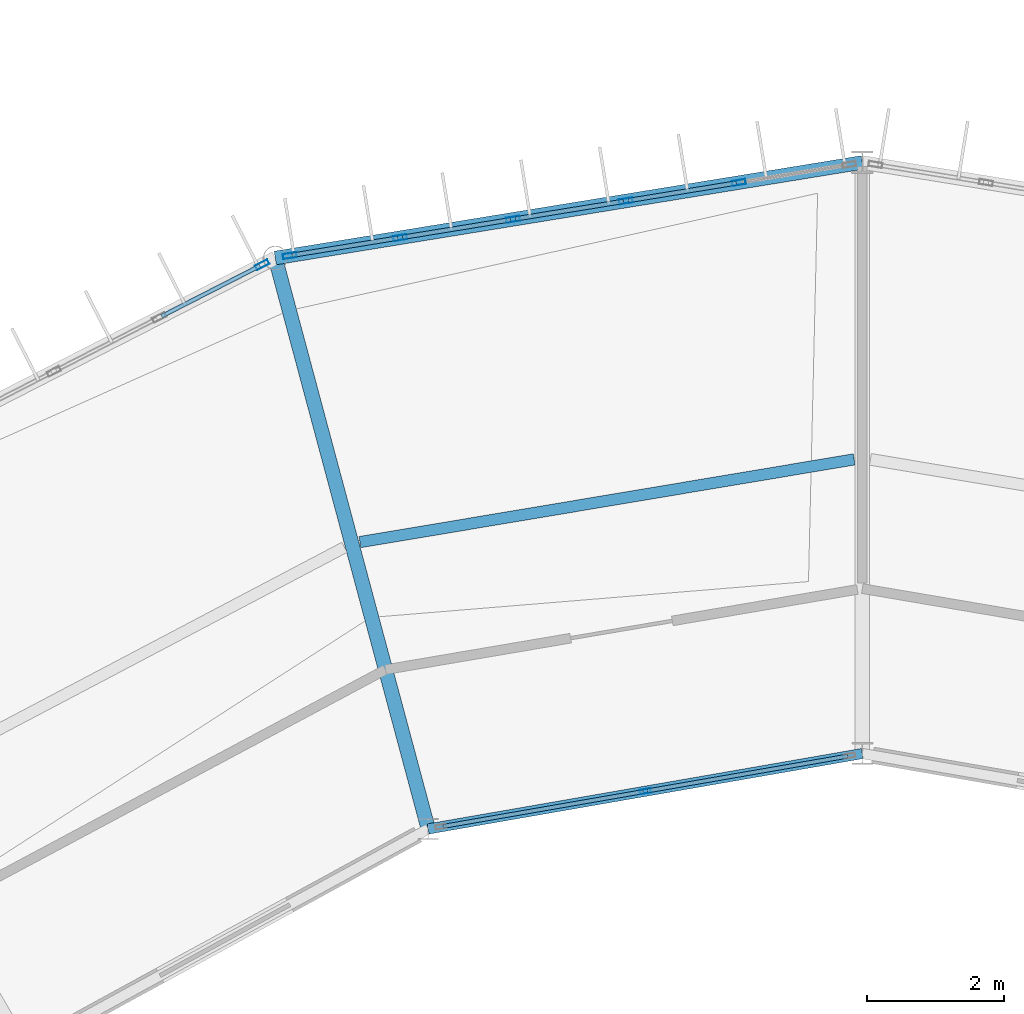
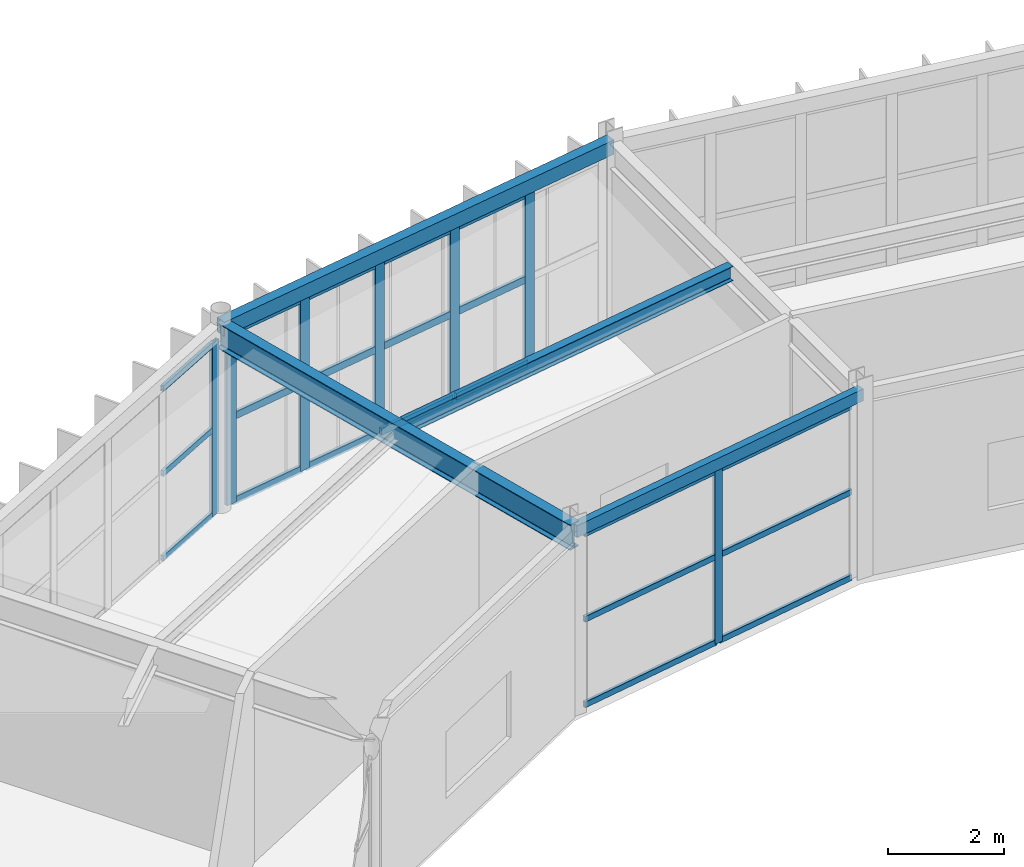
# One storey, part 79 of 147: 28 members, 4 beams, 3 elements without a shape of their own.
"""IFC4 building model written with IfcOpenShell, lengths in metres."""

from ifc_helpers import new_model, si_unit, direction, frame, origin, origin_2d, place, context, subcontext, project, spatial, hollow_rectangle, i_section, extrude, material, material_profile, profile_set, type_object, element, aggregate, save


model = new_model("IFC4")

# Units and contexts
model_context = context("Model", 3, precision=1e-05, world=origin(), true_north=direction((0.0, 1.0)))
body_context = subcontext(model_context, "Body", "Model", "MODEL_VIEW")
ifc_project = project(units=[si_unit("LENGTHUNIT", "METRE"), si_unit("AREAUNIT", "SQUARE_METRE"), si_unit("VOLUMEUNIT", "CUBIC_METRE"), si_unit("PLANEANGLEUNIT", "RADIAN"), si_unit("MASSUNIT", "GRAM", prefix="KILO")], contexts=[model_context])

# Site, building, storey
site_placement = place(None, origin())
site = spatial("IfcSite", under=ifc_project, at=site_placement, CompositionType="ELEMENT")
building_placement = place(site_placement, origin())
building = spatial("IfcBuilding", under=site, at=building_placement, Name="Karori Crest Natural Sciences Institute", CompositionType="ELEMENT")
storey_placement = place(building_placement, frame((0.0, 0.0, 9.10009765625)))
storey = spatial("IfcBuildingStorey", under=building, at=storey_placement, Name="L02", CompositionType="ELEMENT", Elevation=9.10009765625)

# Beams
ifc_material_1 = material(Name="Structural steel AS/NZS 3679.1 Grade 350", Category="steel")
ifc_material_profile_1 = material_profile(ifc_material_1, i_section(OverallWidth=0.208984375, OverallDepth=0.532958984375, WebThickness=0.01025390625, FlangeThickness=0.015625, FilletRadius=0.013916015625, at=origin_2d()), Name="530UB92.4")
ifc_profile_set_1 = profile_set([ifc_material_profile_1], Name="Structural steel AS/NZS 3679.1 Grade 350")
beam_type_1 = type_object("IfcBeamType", Name="BT-05", PredefinedType="BEAM", material=ifc_profile_set_1)
beam_1_placement = place(storey_placement, frame((60.084716796875, 81.002685546875, 3.67333984375), z_axis=(-0.258812709002, 0.96592752402, 0.0), x_axis=(-0.96592752402, -0.258812709002, 0.0)))
element("IfcBeam", 1, at=beam_1_placement, inside=storey, type_object=beam_type_1, Name="Beam B-0299", PredefinedType="BEAM", context=body_context, shape_type="SweptSolid", body=[
    extrude(i_section(OverallWidth=0.208984375, OverallDepth=0.532958984375, WebThickness=0.01025390625, FlangeThickness=0.015625, FilletRadius=0.013916015625, at=origin_2d()), origin(), (0.0, 0.0, 1.0), 8.60009765625),
])
ifc_material_profile_2 = material_profile(ifc_material_1, i_section(OverallWidth=0.1650390625, OverallDepth=0.303955078125, WebThickness=0.006103515625, FlangeThickness=0.01025390625, FilletRadius=0.010986328125, at=origin_2d()), Name="310UB40.4")
ifc_profile_set_2 = profile_set([ifc_material_profile_2], Name="Structural steel AS/NZS 3679.1 Grade 350")
beam_type_2 = type_object("IfcBeamType", Name="BT-10", PredefinedType="BEAM", material=ifc_profile_set_2)
beam_2_placement = place(storey_placement, frame((66.281494140625, 86.380126953125, 3.787841796875), z_axis=(-0.98626966223, -0.165142827164, 0.0), x_axis=(0.165142827164, -0.98626966223, 0.0)))
element("IfcBeam", 2, at=beam_2_placement, inside=storey, type_object=beam_type_2, Name="Beam B-0296", PredefinedType="BEAM", context=body_context, shape_type="SweptSolid", body=[
    extrude(i_section(OverallWidth=0.1650390625, OverallDepth=0.303955078125, WebThickness=0.006103515625, FlangeThickness=0.01025390625, FilletRadius=0.010986328125, at=origin_2d()), origin(), (0.0, 0.0, 1.0), 7.291259765625),
])
ifc_material_2 = material(Name="Hollow structural steel AS/NZS 1163 Grade C350", Category="steel")
ifc_material_profile_3 = material_profile(ifc_material_2, hollow_rectangle(XDim=0.199951171875, YDim=0.300048828125, WallThickness=0.010009765625, at=origin_2d()), Name="RHS300x200x10")
ifc_profile_set_3 = profile_set([ifc_material_profile_3], Name="Hollow structural steel AS/NZS 1163 Grade C350")
beam_type_3 = type_object("IfcBeamType", Name="BT-15", PredefinedType="SPANDREL", material=ifc_profile_set_3)
beam_3_placement = place(storey_placement, frame((66.39990234375, 90.699951171875, 3.789794921875), z_axis=(-0.987012055933, -0.160646199591, 0.0), x_axis=(0.160646199591, -0.987012055933, 0.0)))
element("IfcBeam", 3, at=beam_3_placement, inside=storey, type_object=beam_type_3, Name="Beam B-0293", PredefinedType="SPANDREL", context=body_context, shape_type="SweptSolid", body=[
    extrude(hollow_rectangle(XDim=0.199951171875, YDim=0.300048828125, WallThickness=0.010009765625, at=origin_2d()), origin(), (0.0, 0.0, 1.0), 8.6533203125),
])
ifc_material_profile_4 = material_profile(ifc_material_2, hollow_rectangle(XDim=0.14990234375, YDim=0.25, WallThickness=0.009033203125, at=origin_2d()), Name="RHS250x150x9")
ifc_profile_set_4 = profile_set([ifc_material_profile_4], Name="Hollow structural steel AS/NZS 1163 Grade C350")
beam_type_4 = type_object("IfcBeamType", Name="BT-16", PredefinedType="SPANDREL", material=ifc_profile_set_4)
beam_4_placement = place(storey_placement, frame((66.39990234375, 82.10009765625, 3.789794921875), z_axis=(-0.985234948316, -0.171207758638, 0.0), x_axis=(0.171207758638, -0.985234948316, 0.0)))
element("IfcBeam", 4, at=beam_4_placement, inside=storey, type_object=beam_type_4, Name="Beam B-0294", PredefinedType="SPANDREL", context=body_context, shape_type="SweptSolid", body=[
    extrude(hollow_rectangle(XDim=0.14990234375, YDim=0.25, WallThickness=0.009033203125, at=origin_2d()), origin(), (0.0, 0.0, 1.0), 6.409912109375),
])

# Curtain wall, member
ifc_material_3 = material(Name="Anodised architectural aluminium 6063-T6", Category="aluminium")
curtain_wall_type_1 = type_object("IfcCurtainWallType", Name="CWT-12", PredefinedType="NOTDEFINED", material=ifc_material_3)
curtain_wall_1_placement = place(storey_placement, origin())
curtain_wall_1 = element("IfcCurtainWall", 5, at=curtain_wall_1_placement, inside=storey, type_object=curtain_wall_type_1, Name="Curtain wall CW-0075", PredefinedType="NOTDEFINED")
ifc_material_profile_5 = material_profile(ifc_material_3, hollow_rectangle(XDim=0.06494140625, YDim=0.159912109375, WallThickness=0.00390625, at=origin_2d()), Name="CWM160x65x4")
ifc_profile_set_5 = profile_set([ifc_material_profile_5], Name="Anodised architectural aluminium 6063-T6")
member_type_1 = type_object("IfcMemberType", Name="CWM-01", PredefinedType="MULLION", material=ifc_profile_set_5)
member_1_placement = place(storey_placement, frame((63.241943359375, 81.55126953125, 0.0), z_axis=(0.0, 0.0, 1.0), x_axis=(0.171170381048, -0.985241442821, 0.0)))
member_1 = element("IfcMember", 6, at=member_1_placement, type_object=member_type_1, Name="CW-0075 mullion 2", PredefinedType="MULLION", context=body_context, shape_type="SweptSolid", body=[
    extrude(hollow_rectangle(XDim=0.06494140625, YDim=0.159912109375, WallThickness=0.00390625, at=origin_2d()), origin(), (0.0, 0.0, 1.0), 3.64990234375),
])

# Curtain wall, members
curtain_wall_type_2 = type_object("IfcCurtainWallType", Name="CWT-07", PredefinedType="NOTDEFINED", material=ifc_material_3)
curtain_wall_2_placement = place(storey_placement, origin())
curtain_wall_2 = element("IfcCurtainWall", 7, at=curtain_wall_2_placement, inside=storey, type_object=curtain_wall_type_2, Name="Curtain wall CW-0074", PredefinedType="NOTDEFINED")
ifc_material_profile_6 = material_profile(ifc_material_3, hollow_rectangle(XDim=0.074951171875, YDim=0.199951171875, WallThickness=0.0048828125, at=origin_2d()), Name="CWM200x75x5")
ifc_profile_set_6 = profile_set([ifc_material_profile_6], Name="Anodised architectural aluminium 6063-T6")
member_type_2 = type_object("IfcMemberType", Name="CWM-02", PredefinedType="MULLION", material=ifc_profile_set_6)
member_2_placement = place(storey_placement, frame((58.069580078125, 89.343994140625, 0.0), z_axis=(0.0, 0.0, 1.0), x_axis=(-0.1606565458, 0.987010371927, 0.0)))
member_2 = element("IfcMember", 8, at=member_2_placement, type_object=member_type_2, Name="CW-0074 mullion 1", PredefinedType="MULLION", context=body_context, shape_type="SweptSolid", body=[
    extrude(hollow_rectangle(XDim=0.074951171875, YDim=0.199951171875, WallThickness=0.0048828125, at=origin_2d()), origin(), (0.0, 0.0, 1.0), 3.625),
])
member_3_placement = place(storey_placement, frame((59.67529296875, 89.60546875, 0.0), z_axis=(0.0, 0.0, 1.0), x_axis=(-0.1606565458, 0.987010371927, 0.0)))
member_3 = element("IfcMember", 9, at=member_3_placement, type_object=member_type_2, Name="CW-0074 mullion 2", PredefinedType="MULLION", context=body_context, shape_type="SweptSolid", body=[
    extrude(hollow_rectangle(XDim=0.074951171875, YDim=0.199951171875, WallThickness=0.0048828125, at=origin_2d()), origin(), (0.0, 0.0, 1.0), 3.625),
])
member_4_placement = place(storey_placement, frame((61.318115234375, 89.872802734375, 0.0), z_axis=(0.0, 0.0, 1.0), x_axis=(-0.1606565458, 0.987010371927, 0.0)))
member_4 = element("IfcMember", 10, at=member_4_placement, type_object=member_type_2, Name="CW-0074 mullion 3", PredefinedType="MULLION", context=body_context, shape_type="SweptSolid", body=[
    extrude(hollow_rectangle(XDim=0.074951171875, YDim=0.199951171875, WallThickness=0.0048828125, at=origin_2d()), origin(), (0.0, 0.0, 1.0), 3.625),
])
member_5_placement = place(storey_placement, frame((62.9609375, 90.14013671875, 0.0), z_axis=(0.0, 0.0, 1.0), x_axis=(-0.1606565458, 0.987010371927, 0.0)))
member_5 = element("IfcMember", 11, at=member_5_placement, type_object=member_type_2, Name="CW-0074 mullion 4", PredefinedType="MULLION", context=body_context, shape_type="SweptSolid", body=[
    extrude(hollow_rectangle(XDim=0.074951171875, YDim=0.199951171875, WallThickness=0.0048828125, at=origin_2d()), origin(), (0.0, 0.0, 1.0), 3.625),
])
member_6_placement = place(storey_placement, frame((64.603759765625, 90.40771484375, 0.0), z_axis=(0.0, 0.0, 1.0), x_axis=(-0.1606565458, 0.987010371927, 0.0)))
member_6 = element("IfcMember", 12, at=member_6_placement, type_object=member_type_2, Name="CW-0074 mullion 5", PredefinedType="MULLION", context=body_context, shape_type="SweptSolid", body=[
    extrude(hollow_rectangle(XDim=0.074951171875, YDim=0.199951171875, WallThickness=0.0048828125, at=origin_2d()), origin(), (0.0, 0.0, 1.0), 3.625),
])

# Curtain wall, member
curtain_wall_type_3 = type_object("IfcCurtainWallType", Name="CWT-08", PredefinedType="NOTDEFINED", material=ifc_material_3)
curtain_wall_3_placement = place(storey_placement, origin())
curtain_wall_3 = element("IfcCurtainWall", 13, at=curtain_wall_3_placement, inside=storey, type_object=curtain_wall_type_3, Name="Curtain wall CW-0076", PredefinedType="NOTDEFINED")
member_7_placement = place(storey_placement, frame((57.669189453125, 89.212646484375, 0.0), z_axis=(0.0, 0.0, 1.0), x_axis=(-0.455832988828, 0.890065326982, 0.0)))
member_7 = element("IfcMember", 14, at=member_7_placement, type_object=member_type_2, Name="CW-0076 mullion 6", PredefinedType="MULLION", context=body_context, shape_type="SweptSolid", body=[
    extrude(hollow_rectangle(XDim=0.074951171875, YDim=0.199951171875, WallThickness=0.0048828125, at=origin_2d()), origin(), (0.0, 0.0, 1.0), 3.625),
])

# Member
ifc_material_profile_7 = material_profile(ifc_material_3, hollow_rectangle(XDim=0.06005859375, YDim=0.1201171875, WallThickness=0.00390625, at=origin_2d()), Name="CWT120x60x4")
ifc_profile_set_7 = profile_set([ifc_material_profile_7], Name="Anodised architectural aluminium 6063-T6")
member_type_3 = type_object("IfcMemberType", Name="CWT-TR1", PredefinedType="USERDEFINED", material=ifc_profile_set_7)
member_8_placement = place(storey_placement, frame((66.1845703125, 82.0625, 0.02978515625), z_axis=(-0.985245095786, -0.171149353579, 0.0), x_axis=(0.171149353579, -0.985245095786, 0.0)))
member_8 = element("IfcMember", 15, at=member_8_placement, type_object=member_type_3, Name="CW-0075 transom 1.1", ObjectType="TRANSOM", PredefinedType="USERDEFINED", context=body_context, shape_type="SweptSolid", body=[
    extrude(hollow_rectangle(XDim=0.06005859375, YDim=0.1201171875, WallThickness=0.00390625, at=origin_2d()), origin(), (0.0, 0.0, 1.0), 2.954345703125),
])

member_9_placement = place(storey_placement, frame((66.1845703125, 82.0625, 1.824951171875), z_axis=(-0.985245095786, -0.171149353579, 0.0), x_axis=(0.171149353579, -0.985245095786, 0.0)))
member_9 = element("IfcMember", 16, at=member_9_placement, type_object=member_type_3, Name="CW-0075 transom 1.2", ObjectType="TRANSOM", PredefinedType="USERDEFINED", context=body_context, shape_type="SweptSolid", body=[
    extrude(hollow_rectangle(XDim=0.06005859375, YDim=0.1201171875, WallThickness=0.00390625, at=origin_2d()), origin(), (0.0, 0.0, 1.0), 2.954345703125),
])

member_10_placement = place(storey_placement, frame((66.1845703125, 82.0625, 3.619873046875), z_axis=(-0.985245095786, -0.171149353579, 0.0), x_axis=(0.171149353579, -0.985245095786, 0.0)))
member_10 = element("IfcMember", 17, at=member_10_placement, type_object=member_type_3, Name="CW-0075 transom 1.3", ObjectType="TRANSOM", PredefinedType="USERDEFINED", context=body_context, shape_type="SweptSolid", body=[
    extrude(hollow_rectangle(XDim=0.06005859375, YDim=0.1201171875, WallThickness=0.00390625, at=origin_2d()), origin(), (0.0, 0.0, 1.0), 2.954345703125),
])

member_11_placement = place(storey_placement, frame((63.2099609375, 81.5458984375, 0.02978515625), z_axis=(-0.985231157469, -0.171229572075, 0.0), x_axis=(0.171229572075, -0.985231157469, 0.0)))
member_11 = element("IfcMember", 18, at=member_11_placement, type_object=member_type_3, Name="CW-0075 transom 2.1", ObjectType="TRANSOM", PredefinedType="USERDEFINED", context=body_context, shape_type="SweptSolid", body=[
    extrude(hollow_rectangle(XDim=0.06005859375, YDim=0.1201171875, WallThickness=0.00390625, at=origin_2d()), origin(), (0.0, 0.0, 1.0), 2.954345703125),
])

member_12_placement = place(storey_placement, frame((63.2099609375, 81.5458984375, 1.824951171875), z_axis=(-0.985231157469, -0.171229572075, 0.0), x_axis=(0.171229572075, -0.985231157469, 0.0)))
member_12 = element("IfcMember", 19, at=member_12_placement, type_object=member_type_3, Name="CW-0075 transom 2.2", ObjectType="TRANSOM", PredefinedType="USERDEFINED", context=body_context, shape_type="SweptSolid", body=[
    extrude(hollow_rectangle(XDim=0.06005859375, YDim=0.1201171875, WallThickness=0.00390625, at=origin_2d()), origin(), (0.0, 0.0, 1.0), 2.954345703125),
])

member_13_placement = place(storey_placement, frame((63.2099609375, 81.5458984375, 3.619873046875), z_axis=(-0.985231157469, -0.171229572075, 0.0), x_axis=(0.171229572075, -0.985231157469, 0.0)))
member_13 = element("IfcMember", 20, at=member_13_placement, type_object=member_type_3, Name="CW-0075 transom 2.3", ObjectType="TRANSOM", PredefinedType="USERDEFINED", context=body_context, shape_type="SweptSolid", body=[
    extrude(hollow_rectangle(XDim=0.06005859375, YDim=0.1201171875, WallThickness=0.00390625, at=origin_2d()), origin(), (0.0, 0.0, 1.0), 2.954345703125),
])

aggregate(curtain_wall_1, [member_1, member_8, member_9, member_10, member_11, member_12, member_13])

member_14_placement = place(storey_placement, frame((56.203857421875, 88.462158203125, 0.02978515625), z_axis=(0.890044866674, 0.455872937679, 0.0), x_axis=(-0.455872937679, 0.890044866674, 0.0)))
member_14 = element("IfcMember", 21, at=member_14_placement, type_object=member_type_3, Name="CW-0076 transom 5.1", ObjectType="TRANSOM", PredefinedType="USERDEFINED", context=body_context, shape_type="SweptSolid", body=[
    extrude(hollow_rectangle(XDim=0.06005859375, YDim=0.1201171875, WallThickness=0.00390625, at=origin_2d()), origin(), (0.0, 0.0, 1.0), 1.60888671875),
])

member_15_placement = place(storey_placement, frame((56.203857421875, 88.462158203125, 1.8125), z_axis=(0.890044866674, 0.455872937679, 0.0), x_axis=(-0.455872937679, 0.890044866674, 0.0)))
member_15 = element("IfcMember", 22, at=member_15_placement, type_object=member_type_3, Name="CW-0076 transom 5.2", ObjectType="TRANSOM", PredefinedType="USERDEFINED", context=body_context, shape_type="SweptSolid", body=[
    extrude(hollow_rectangle(XDim=0.06005859375, YDim=0.1201171875, WallThickness=0.00390625, at=origin_2d()), origin(), (0.0, 0.0, 1.0), 1.60888671875),
])

member_16_placement = place(storey_placement, frame((56.203857421875, 88.462158203125, 3.594970703125), z_axis=(0.890044866674, 0.455872937679, 0.0), x_axis=(-0.455872937679, 0.890044866674, 0.0)))
member_16 = element("IfcMember", 23, at=member_16_placement, type_object=member_type_3, Name="CW-0076 transom 5.3", ObjectType="TRANSOM", PredefinedType="USERDEFINED", context=body_context, shape_type="SweptSolid", body=[
    extrude(hollow_rectangle(XDim=0.06005859375, YDim=0.1201171875, WallThickness=0.00390625, at=origin_2d()), origin(), (0.0, 0.0, 1.0), 1.60888671875),
])

aggregate(curtain_wall_3, [member_7, member_14, member_15, member_16])

ifc_material_profile_8 = material_profile(ifc_material_3, hollow_rectangle(XDim=0.06494140625, YDim=0.14990234375, WallThickness=0.00390625, at=origin_2d()), Name="CWT150x65x4")
ifc_profile_set_8 = profile_set([ifc_material_profile_8], Name="Anodised architectural aluminium 6063-T6")
member_type_4 = type_object("IfcMemberType", Name="CWT-TR2", PredefinedType="USERDEFINED", material=ifc_profile_set_8)
member_17_placement = place(storey_placement, frame((58.1064453125, 89.35009765625, 0.032470703125), z_axis=(0.987015971558, 0.160622140096, 0.0), x_axis=(-0.160622140096, 0.987015971558, 0.0)))
member_17 = element("IfcMember", 24, at=member_17_placement, type_object=member_type_4, Name="CW-0074 transom 1.1", ObjectType="TRANSOM", PredefinedType="USERDEFINED", context=body_context, shape_type="SweptSolid", body=[
    extrude(hollow_rectangle(XDim=0.06494140625, YDim=0.14990234375, WallThickness=0.00390625, at=origin_2d()), origin(), (0.0, 0.0, 1.0), 1.552001953125),
])

member_18_placement = place(storey_placement, frame((58.1064453125, 89.35009765625, 1.8125), z_axis=(0.987015971558, 0.160622140096, 0.0), x_axis=(-0.160622140096, 0.987015971558, 0.0)))
member_18 = element("IfcMember", 25, at=member_18_placement, type_object=member_type_4, Name="CW-0074 transom 1.2", ObjectType="TRANSOM", PredefinedType="USERDEFINED", context=body_context, shape_type="SweptSolid", body=[
    extrude(hollow_rectangle(XDim=0.06494140625, YDim=0.14990234375, WallThickness=0.00390625, at=origin_2d()), origin(), (0.0, 0.0, 1.0), 1.552001953125),
])

member_19_placement = place(storey_placement, frame((58.1064453125, 89.35009765625, 3.59228515625), z_axis=(0.987015971558, 0.160622140096, 0.0), x_axis=(-0.160622140096, 0.987015971558, 0.0)))
member_19 = element("IfcMember", 26, at=member_19_placement, type_object=member_type_4, Name="CW-0074 transom 1.3", ObjectType="TRANSOM", PredefinedType="USERDEFINED", context=body_context, shape_type="SweptSolid", body=[
    extrude(hollow_rectangle(XDim=0.06494140625, YDim=0.14990234375, WallThickness=0.00390625, at=origin_2d()), origin(), (0.0, 0.0, 1.0), 1.552001953125),
])

member_20_placement = place(storey_placement, frame((59.71240234375, 89.611328125, 0.032470703125), z_axis=(0.987005570186, 0.160686043022, 0.0), x_axis=(-0.160686043022, 0.987005570186, 0.0)))
member_20 = element("IfcMember", 27, at=member_20_placement, type_object=member_type_4, Name="CW-0074 transom 2.1", ObjectType="TRANSOM", PredefinedType="USERDEFINED", context=body_context, shape_type="SweptSolid", body=[
    extrude(hollow_rectangle(XDim=0.06494140625, YDim=0.14990234375, WallThickness=0.00390625, at=origin_2d()), origin(), (0.0, 0.0, 1.0), 1.58935546875),
])

member_21_placement = place(storey_placement, frame((59.71240234375, 89.611328125, 1.8125), z_axis=(0.987005570186, 0.160686043022, 0.0), x_axis=(-0.160686043022, 0.987005570186, 0.0)))
member_21 = element("IfcMember", 28, at=member_21_placement, type_object=member_type_4, Name="CW-0074 transom 2.2", ObjectType="TRANSOM", PredefinedType="USERDEFINED", context=body_context, shape_type="SweptSolid", body=[
    extrude(hollow_rectangle(XDim=0.06494140625, YDim=0.14990234375, WallThickness=0.00390625, at=origin_2d()), origin(), (0.0, 0.0, 1.0), 1.58935546875),
])

member_22_placement = place(storey_placement, frame((59.71240234375, 89.611328125, 3.59228515625), z_axis=(0.987005570186, 0.160686043022, 0.0), x_axis=(-0.160686043022, 0.987005570186, 0.0)))
member_22 = element("IfcMember", 29, at=member_22_placement, type_object=member_type_4, Name="CW-0074 transom 2.3", ObjectType="TRANSOM", PredefinedType="USERDEFINED", context=body_context, shape_type="SweptSolid", body=[
    extrude(hollow_rectangle(XDim=0.06494140625, YDim=0.14990234375, WallThickness=0.00390625, at=origin_2d()), origin(), (0.0, 0.0, 1.0), 1.58935546875),
])

member_23_placement = place(storey_placement, frame((61.355224609375, 89.87890625, 0.032470703125), z_axis=(0.987005570186, 0.160686043022, 0.0), x_axis=(-0.160686043022, 0.987005570186, 0.0)))
member_23 = element("IfcMember", 30, at=member_23_placement, type_object=member_type_4, Name="CW-0074 transom 3.1", ObjectType="TRANSOM", PredefinedType="USERDEFINED", context=body_context, shape_type="SweptSolid", body=[
    extrude(hollow_rectangle(XDim=0.06494140625, YDim=0.14990234375, WallThickness=0.00390625, at=origin_2d()), origin(), (0.0, 0.0, 1.0), 1.58935546875),
])

member_24_placement = place(storey_placement, frame((61.355224609375, 89.87890625, 1.8125), z_axis=(0.987005570186, 0.160686043022, 0.0), x_axis=(-0.160686043022, 0.987005570186, 0.0)))
member_24 = element("IfcMember", 31, at=member_24_placement, type_object=member_type_4, Name="CW-0074 transom 3.2", ObjectType="TRANSOM", PredefinedType="USERDEFINED", context=body_context, shape_type="SweptSolid", body=[
    extrude(hollow_rectangle(XDim=0.06494140625, YDim=0.14990234375, WallThickness=0.00390625, at=origin_2d()), origin(), (0.0, 0.0, 1.0), 1.58935546875),
])

member_25_placement = place(storey_placement, frame((61.355224609375, 89.87890625, 3.59228515625), z_axis=(0.987005570186, 0.160686043022, 0.0), x_axis=(-0.160686043022, 0.987005570186, 0.0)))
member_25 = element("IfcMember", 32, at=member_25_placement, type_object=member_type_4, Name="CW-0074 transom 3.3", ObjectType="TRANSOM", PredefinedType="USERDEFINED", context=body_context, shape_type="SweptSolid", body=[
    extrude(hollow_rectangle(XDim=0.06494140625, YDim=0.14990234375, WallThickness=0.00390625, at=origin_2d()), origin(), (0.0, 0.0, 1.0), 1.58935546875),
])

member_26_placement = place(storey_placement, frame((62.997802734375, 90.146240234375, 0.032470703125), z_axis=(0.987009535741, 0.160661682911, 0.0), x_axis=(-0.160661682911, 0.987009535741, 0.0)))
member_26 = element("IfcMember", 33, at=member_26_placement, type_object=member_type_4, Name="CW-0074 transom 4.1", ObjectType="TRANSOM", PredefinedType="USERDEFINED", context=body_context, shape_type="SweptSolid", body=[
    extrude(hollow_rectangle(XDim=0.06494140625, YDim=0.14990234375, WallThickness=0.00390625, at=origin_2d()), origin(), (0.0, 0.0, 1.0), 1.589599609375),
])

member_27_placement = place(storey_placement, frame((62.997802734375, 90.146240234375, 1.8125), z_axis=(0.987009535741, 0.160661682911, 0.0), x_axis=(-0.160661682911, 0.987009535741, 0.0)))
member_27 = element("IfcMember", 34, at=member_27_placement, type_object=member_type_4, Name="CW-0074 transom 4.2", ObjectType="TRANSOM", PredefinedType="USERDEFINED", context=body_context, shape_type="SweptSolid", body=[
    extrude(hollow_rectangle(XDim=0.06494140625, YDim=0.14990234375, WallThickness=0.00390625, at=origin_2d()), origin(), (0.0, 0.0, 1.0), 1.589599609375),
])

member_28_placement = place(storey_placement, frame((62.997802734375, 90.146240234375, 3.59228515625), z_axis=(0.987009535741, 0.160661682911, 0.0), x_axis=(-0.160661682911, 0.987009535741, 0.0)))
member_28 = element("IfcMember", 35, at=member_28_placement, type_object=member_type_4, Name="CW-0074 transom 4.3", ObjectType="TRANSOM", PredefinedType="USERDEFINED", context=body_context, shape_type="SweptSolid", body=[
    extrude(hollow_rectangle(XDim=0.06494140625, YDim=0.14990234375, WallThickness=0.00390625, at=origin_2d()), origin(), (0.0, 0.0, 1.0), 1.589599609375),
])

aggregate(curtain_wall_2, [member_2, member_3, member_4, member_5, member_6, member_17, member_18, member_19, member_20, member_21, member_22, member_23, member_24, member_25, member_26, member_27, member_28])

save(model, "model.ifc")
